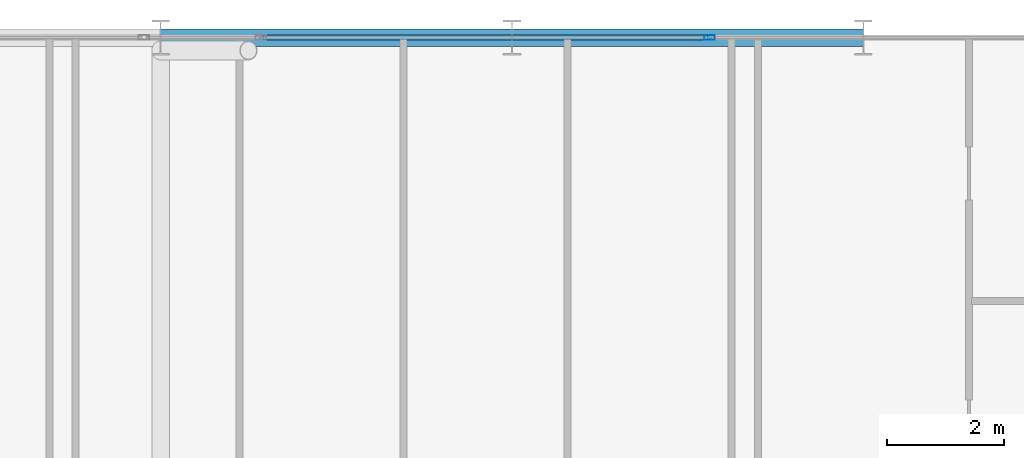
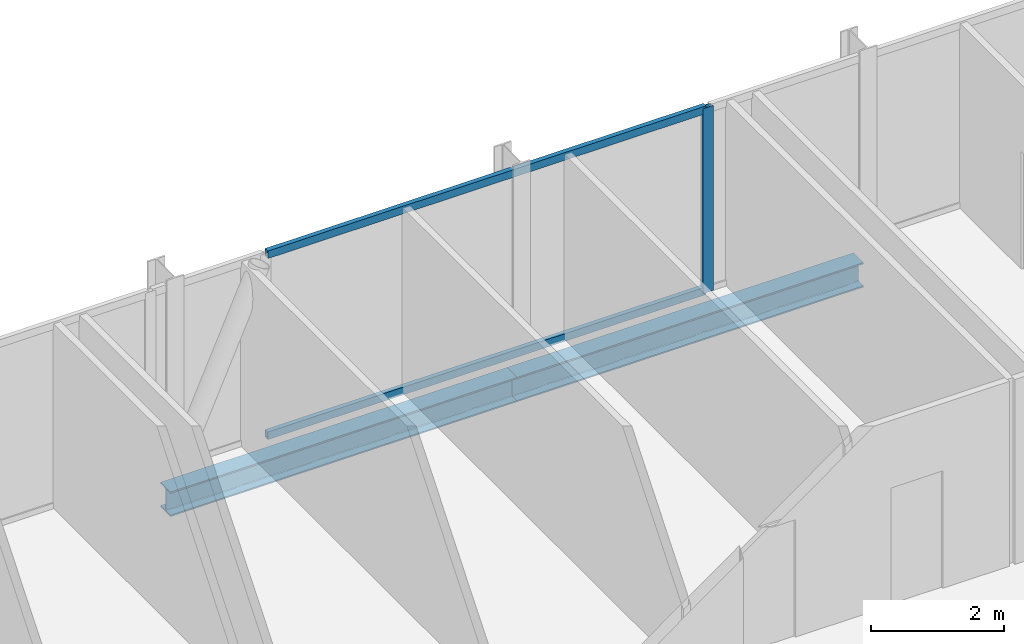
# One storey, part 19 of 30: 3 members, 2 beams, 1 element without a shape of its own.
"""IFC4 building model written with IfcOpenShell, lengths in metres."""

from ifc_helpers import new_model, si_unit, direction, frame, origin, origin_2d, place, context, subcontext, project, spatial, hollow_rectangle, i_section, extrude, material, layer, layer_set, material_profile, profile_set, type_object, element, aggregate, save


model = new_model("IFC4")

# Units and contexts
model_context = context("Model", 3, precision=1e-05, world=origin(), true_north=direction((0.0, 1.0)))
body_context = subcontext(model_context, "Body", "Model", "MODEL_VIEW")
ifc_project = project(units=[si_unit("LENGTHUNIT", "METRE"), si_unit("AREAUNIT", "SQUARE_METRE"), si_unit("VOLUMEUNIT", "CUBIC_METRE"), si_unit("PLANEANGLEUNIT", "RADIAN"), si_unit("MASSUNIT", "GRAM", prefix="KILO")], contexts=[model_context])

# Site, building, storey
site_placement = place(None, origin())
site = spatial("IfcSite", under=ifc_project, at=site_placement, CompositionType="ELEMENT")
building_placement = place(site_placement, origin())
building = spatial("IfcBuilding", under=site, at=building_placement, Name="Keshet Zoharim Tower", CompositionType="ELEMENT")
storey_placement = place(building_placement, frame((0.0, 0.0, 113.10009765625)))
storey = spatial("IfcBuildingStorey", under=building, at=storey_placement, Name="L27", CompositionType="ELEMENT", Elevation=113.10009765625)

# Beams
ifc_material_1 = material(Name="Steel S355", Category="steel")
ifc_material_profile_1 = material_profile(ifc_material_1, i_section(OverallWidth=0.300048828125, OverallDepth=0.449951171875, WebThickness=0.013916015625, FlangeThickness=0.02587890625, FilletRadius=0.027099609375, at=origin_2d()), Name="HEB450")
ifc_profile_set_1 = profile_set([ifc_material_profile_1], Name="Steel S355")
beam_type = type_object("IfcBeamType", Name="BM-WEB-HB450", PredefinedType="BEAM", material=ifc_profile_set_1)
for number, where, z_axis, x_axis, name in (
    (1, (33.0, 53.89990234375, -0.5400390625), (1.0, 0.0, 0.0), (0.0, 1.0, 0.0), "L27 Primary Girder X-021"),
    (2, (39.0, 53.89990234375, -0.5400390625), (1.0, 0.0, 0.0), (0.0, 1.0, 0.0), "L27 Primary Girder X-022"),
):
    element("IfcBeam", number, at=place(storey_placement, frame(where, z_axis=z_axis, x_axis=x_axis)), inside=storey, type_object=beam_type, Name=name, PredefinedType="BEAM", context=body_context, shape_type="SweptSolid", body=[
        extrude(i_section(OverallWidth=0.300048828125, OverallDepth=0.449951171875, WebThickness=0.013916015625, FlangeThickness=0.02587890625, FilletRadius=0.027099609375, at=origin_2d()), origin(), (0.0, 0.0, 1.0), 6.0),
    ])

# Curtain wall, members
ifc_material_2 = material(Name="Aluminium 6063-T6", Category="aluminium")
ifc_layer = layer(ifc_material_2, 0.159912109375)
ifc_layer_set = layer_set([ifc_layer], Name="Aluminium 6063-T6")
curtain_wall_type = type_object("IfcCurtainWallType", Name="CW-SYS-03", PredefinedType="NOTDEFINED", material=ifc_layer_set)
curtain_wall_placement = place(storey_placement, origin())
curtain_wall = element("IfcCurtainWall", 3, at=curtain_wall_placement, inside=storey, type_object=curtain_wall_type, Name="L27 Unitised Curtain Wall 13 Part 5", PredefinedType="NOTDEFINED")
ifc_material_profile_2 = material_profile(ifc_material_2, hollow_rectangle(XDim=0.080078125, YDim=0.179931640625, WallThickness=0.00439453125, at=origin_2d()), Name="MUL-80x180")
ifc_profile_set_2 = profile_set([ifc_material_profile_2], Name="Aluminium 6063-T6")
member_type_1 = type_object("IfcMemberType", Name="CWM-M18", PredefinedType="MULLION", material=ifc_profile_set_2)
member_1_placement = place(storey_placement, frame((42.3740234375, 53.89990234375, 0.0), z_axis=(0.0, 0.0, 1.0), x_axis=(0.0, 1.0, 0.0)))
member_1 = element("IfcMember", 4, at=member_1_placement, type_object=member_type_1, Name="CW-03 mullion 2", PredefinedType="MULLION", context=body_context, shape_type="SweptSolid", body=[
    extrude(hollow_rectangle(XDim=0.080078125, YDim=0.179931640625, WallThickness=0.00439453125, at=origin_2d()), origin(), (0.0, 0.0, 1.0), 3.385009765625),
])
ifc_material_profile_3 = material_profile(ifc_material_2, hollow_rectangle(XDim=0.080078125, YDim=0.139892578125, WallThickness=0.00390625, at=origin_2d()), Name="TRN-80x140")
ifc_profile_set_3 = profile_set([ifc_material_profile_3], Name="Aluminium 6063-T6")
member_type_2 = type_object("IfcMemberType", Name="CWT-T14", PredefinedType="USERDEFINED", material=ifc_profile_set_3)
member_2_placement = place(storey_placement, frame((34.748046875, 53.89990234375, 0.034912109375), z_axis=(1.0, 0.0, 0.0), x_axis=(0.0, 1.0, 0.0)))
member_2 = element("IfcMember", 5, at=member_2_placement, type_object=member_type_2, Name="CW-03 transom 1.1", ObjectType="TRANSOM", PredefinedType="USERDEFINED", context=body_context, shape_type="SweptSolid", body=[
    extrude(hollow_rectangle(XDim=0.080078125, YDim=0.139892578125, WallThickness=0.00390625, at=origin_2d()), origin(), (0.0, 0.0, 1.0), 7.591064453125),
])
member_3_placement = place(storey_placement, frame((34.748046875, 53.89990234375, 3.349853515625), z_axis=(1.0, 0.0, 0.0), x_axis=(0.0, 1.0, 0.0)))
member_3 = element("IfcMember", 6, at=member_3_placement, type_object=member_type_2, Name="CW-03 transom 1.2", ObjectType="TRANSOM", PredefinedType="USERDEFINED", context=body_context, shape_type="SweptSolid", body=[
    extrude(hollow_rectangle(XDim=0.080078125, YDim=0.139892578125, WallThickness=0.00390625, at=origin_2d()), origin(), (0.0, 0.0, 1.0), 7.591064453125),
])
aggregate(curtain_wall, [member_1, member_2, member_3])

save(model, "model.ifc")
